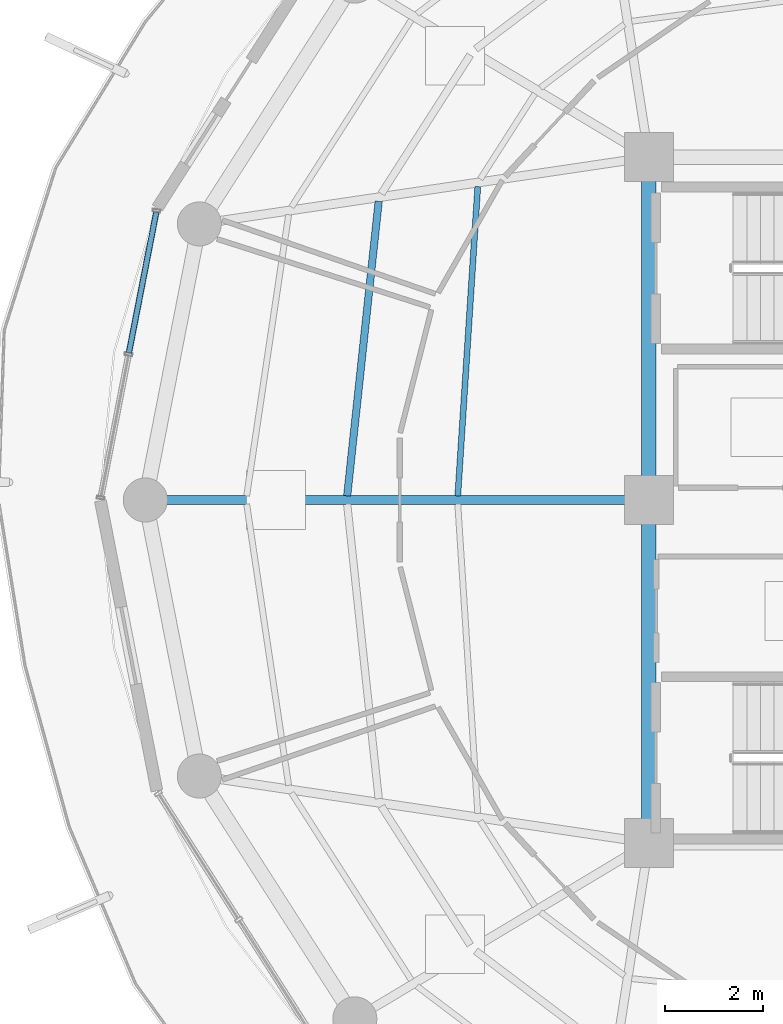
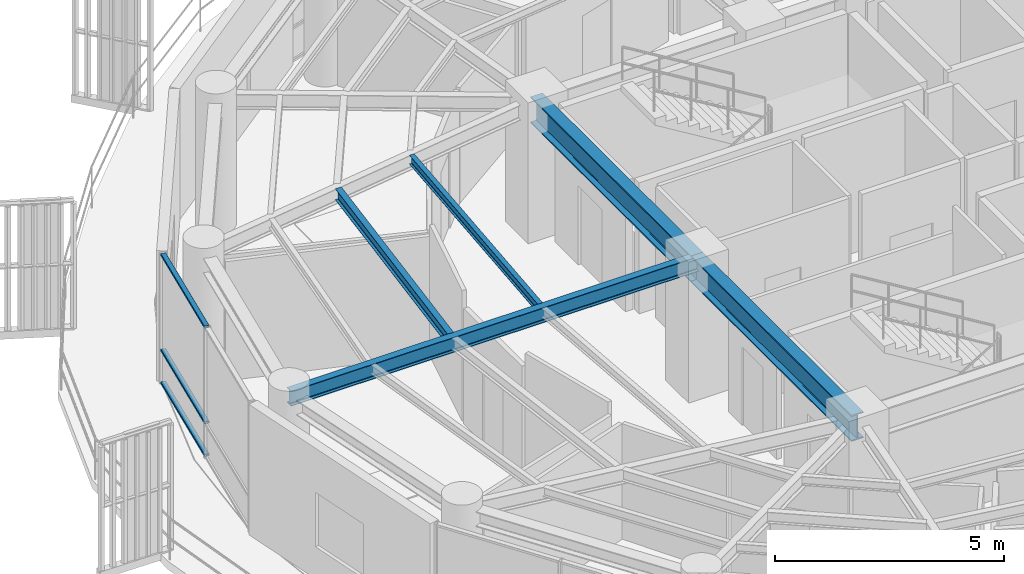
# One storey, part 7 of 24: 5 beams, 3 members, 1 element without a shape of its own.
"""IFC4 building model written with IfcOpenShell, lengths in metres."""

from ifc_helpers import new_model, si_unit, direction, frame, origin, origin_2d, place, context, subcontext, project, spatial, hollow_rectangle, i_section, extrude, material, layer, layer_set, material_profile, profile_set, type_object, element, aggregate, save


model = new_model("IFC4")

# Units and contexts
model_context = context("Model", 3, precision=1e-05, world=origin(), true_north=direction((0.0, 1.0)))
body_context = subcontext(model_context, "Body", "Model", "MODEL_VIEW")
ifc_project = project(units=[si_unit("LENGTHUNIT", "METRE"), si_unit("AREAUNIT", "SQUARE_METRE"), si_unit("VOLUMEUNIT", "CUBIC_METRE"), si_unit("PLANEANGLEUNIT", "RADIAN"), si_unit("MASSUNIT", "GRAM", prefix="KILO")], contexts=[model_context])

# Site, building, storey
site_placement = place(None, origin())
site = spatial("IfcSite", under=ifc_project, at=site_placement, CompositionType="ELEMENT")
building_placement = place(site_placement, origin())
building = spatial("IfcBuilding", under=site, at=building_placement, Name="Kelanora Arch Commons", CompositionType="ELEMENT")
storey_placement = place(building_placement, frame((0.0, 0.0, 248.699951171875)))
storey = spatial("IfcBuildingStorey", under=building, at=storey_placement, Name="L63", CompositionType="ELEMENT", Elevation=248.699951171875)

# Beams
ifc_material_1 = material(Name="Steel S355", Category="steel")
ifc_material_profile_1 = material_profile(ifc_material_1, i_section(OverallWidth=0.300048828125, OverallDepth=0.699951171875, WebThickness=0.01708984375, FlangeThickness=0.031982421875, FilletRadius=0.027099609375, at=origin_2d()), Name="HEB700")
ifc_profile_set_1 = profile_set([ifc_material_profile_1], Name="Steel S355")
beam_type_1 = type_object("IfcBeamType", Name="BM-CORE-HDR", PredefinedType="BEAM", material=ifc_profile_set_1)
for number, where, z_axis, x_axis, name in (
    (1, (66.0, 65.0, 3.14013671875), (0.0, -1.0, 0.0), (1.0, 0.0, 0.0), "Core Header Beam 08 L63"),
    (2, (66.0, 58.0, 3.14013671875), (0.0, -1.0, 0.0), (1.0, 0.0, 0.0), "Core Header Beam 09 L63"),
):
    element("IfcBeam", number, at=place(storey_placement, frame(where, z_axis=z_axis, x_axis=x_axis)), inside=storey, type_object=beam_type_1, Name=name, PredefinedType="BEAM", context=body_context, shape_type="SweptSolid", body=[
        extrude(i_section(OverallWidth=0.300048828125, OverallDepth=0.699951171875, WebThickness=0.01708984375, FlangeThickness=0.031982421875, FilletRadius=0.027099609375, at=origin_2d()), origin(), (0.0, 0.0, 1.0), 7.0),
    ])
ifc_material_profile_2 = material_profile(ifc_material_1, i_section(OverallWidth=0.14990234375, OverallDepth=0.300048828125, WebThickness=0.007080078125, FlangeThickness=0.0107421875, FilletRadius=0.014892578125, at=origin_2d()), Name="IPE300")
ifc_profile_set_2 = profile_set([ifc_material_profile_2], Name="Steel S355")
beam_type_2 = type_object("IfcBeamType", Name="BM-JST-01", PredefinedType="JOIST", material=ifc_profile_set_2)
beam_1_placement = place(storey_placement, frame((60.484375, 64.097412109375, 3.340087890625), z_axis=(-0.106380594087, -0.994325484538, 0.0), x_axis=(0.994325484538, -0.106380594087, 0.0)))
element("IfcBeam", 3, at=beam_1_placement, inside=storey, type_object=beam_type_2, Name="Secondary Chord Joist BJB-16 L63", PredefinedType="JOIST", context=body_context, shape_type="SweptSolid", body=[
    extrude(i_section(OverallWidth=0.14990234375, OverallDepth=0.300048828125, WebThickness=0.007080078125, FlangeThickness=0.0107421875, FilletRadius=0.014892578125, at=origin_2d()), origin(), (0.0, 0.0, 1.0), 6.04736328125),
])
ifc_material_profile_3 = material_profile(ifc_material_1, i_section(OverallWidth=0.1201171875, OverallDepth=0.239990234375, WebThickness=0.006103515625, FlangeThickness=0.009765625, FilletRadius=0.014892578125, at=origin_2d()), Name="IPE240")
ifc_profile_set_3 = profile_set([ifc_material_profile_3], Name="Steel S355")
beam_type_3 = type_object("IfcBeamType", Name="BM-JST-02", PredefinedType="JOIST", material=ifc_profile_set_3)
beam_2_placement = place(storey_placement, frame((62.507080078125, 64.39697265625, 3.3701171875), z_axis=(-0.064495107978, -0.99791802321, 0.0), x_axis=(0.99791802321, -0.064495107978, 0.0)))
element("IfcBeam", 4, at=beam_2_placement, inside=storey, type_object=beam_type_3, Name="Secondary Chord Joist BJA-16 L63", PredefinedType="JOIST", context=body_context, shape_type="SweptSolid", body=[
    extrude(i_section(OverallWidth=0.1201171875, OverallDepth=0.239990234375, WebThickness=0.006103515625, FlangeThickness=0.009765625, FilletRadius=0.014892578125, at=origin_2d()), origin(), (0.0, 0.0, 1.0), 6.325439453125),
])
ifc_material_profile_4 = material_profile(ifc_material_1, i_section(OverallWidth=0.179931640625, OverallDepth=0.39990234375, WebThickness=0.008544921875, FlangeThickness=0.013427734375, FilletRadius=0.02099609375, at=origin_2d()), Name="IPE400")
ifc_profile_set_4 = profile_set([ifc_material_profile_4], Name="Steel S355")
beam_type_4 = type_object("IfcBeamType", Name="BM-RAD-Z5", PredefinedType="BEAM", material=ifc_profile_set_4)
beam_3_placement = place(storey_placement, frame((66.0, 58.0, 3.2900390625), z_axis=(-1.0, 0.0, 0.0), x_axis=(0.0, -1.0, 0.0)))
element("IfcBeam", 5, at=beam_3_placement, inside=storey, type_object=beam_type_4, Name="Radial Floor Girder BR-18 L63", PredefinedType="BEAM", context=body_context, shape_type="SweptSolid", body=[
    extrude(i_section(OverallWidth=0.179931640625, OverallDepth=0.39990234375, WebThickness=0.008544921875, FlangeThickness=0.013427734375, FilletRadius=0.02099609375, at=origin_2d()), origin(), (0.0, 0.0, 1.0), 10.280029296875),
])

# Curtain wall, members
ifc_material_2 = material(Name="Terracotta ceramic-fritted low-E glass and aluminium", Category="masonry")
ifc_layer = layer(ifc_material_2, 0.18994140625)
ifc_layer_set = layer_set([ifc_layer], Name="Terracotta ceramic-fritted low-E glass and aluminium")
curtain_wall_type = type_object("IfcCurtainWallType", Name="CW-SYS-03", PredefinedType="NOTDEFINED", material=ifc_layer_set)
curtain_wall_placement = place(storey_placement, origin())
curtain_wall = element("IfcCurtainWall", 6, at=curtain_wall_placement, inside=storey, type_object=curtain_wall_type, Name="Unitised Curtain Wall L63-B08", PredefinedType="NOTDEFINED")
ifc_material_3 = material(Name="Powder-coated aluminium terracotta", Category="masonry")
ifc_material_profile_5 = material_profile(ifc_material_3, hollow_rectangle(XDim=0.1201171875, YDim=0.06005859375, WallThickness=0.0048828125, InnerFilletRadius=0.0048828125, OuterFilletRadius=0.010009765625, at=origin_2d()), Name="CWT120x60")
ifc_profile_set_5 = profile_set([ifc_material_profile_5], Name="Powder-coated aluminium terracotta")
member_type = type_object("IfcMemberType", Name="CWT-STD", PredefinedType="USERDEFINED", material=ifc_profile_set_5)
member_1_placement = place(storey_placement, frame((55.943603515625, 63.877685546875, 0.030029296875), z_axis=(-0.190963443354, -0.981597149192, 0.0), x_axis=(0.981597149192, -0.190963443354, 0.0)))
member_1 = element("IfcMember", 7, at=member_1_placement, type_object=member_type, Name="CW-03 transom 1.1", ObjectType="TRANSOM", PredefinedType="USERDEFINED", context=body_context, shape_type="SweptSolid", body=[
    extrude(hollow_rectangle(XDim=0.1201171875, YDim=0.06005859375, WallThickness=0.0048828125, InnerFilletRadius=0.0048828125, OuterFilletRadius=0.010009765625, at=origin_2d()), origin(), (0.0, 0.0, 1.0), 2.926513671875),
])
member_2_placement = place(storey_placement, frame((55.943603515625, 63.877685546875, 0.900146484375), z_axis=(-0.190963443354, -0.981597149192, 0.0), x_axis=(0.981597149192, -0.190963443354, 0.0)))
member_2 = element("IfcMember", 8, at=member_2_placement, type_object=member_type, Name="CW-03 transom 1.2", ObjectType="TRANSOM", PredefinedType="USERDEFINED", context=body_context, shape_type="SweptSolid", body=[
    extrude(hollow_rectangle(XDim=0.1201171875, YDim=0.06005859375, WallThickness=0.0048828125, InnerFilletRadius=0.0048828125, OuterFilletRadius=0.010009765625, at=origin_2d()), origin(), (0.0, 0.0, 1.0), 2.926513671875),
])
member_3_placement = place(storey_placement, frame((55.943603515625, 63.877685546875, 3.445068359375), z_axis=(-0.190963443354, -0.981597149192, 0.0), x_axis=(0.981597149192, -0.190963443354, 0.0)))
member_3 = element("IfcMember", 9, at=member_3_placement, type_object=member_type, Name="CW-03 transom 1.3", ObjectType="TRANSOM", PredefinedType="USERDEFINED", context=body_context, shape_type="SweptSolid", body=[
    extrude(hollow_rectangle(XDim=0.1201171875, YDim=0.06005859375, WallThickness=0.0048828125, InnerFilletRadius=0.0048828125, OuterFilletRadius=0.010009765625, at=origin_2d()), origin(), (0.0, 0.0, 1.0), 2.926513671875),
])
aggregate(curtain_wall, [member_1, member_2, member_3])

save(model, "model.ifc")
